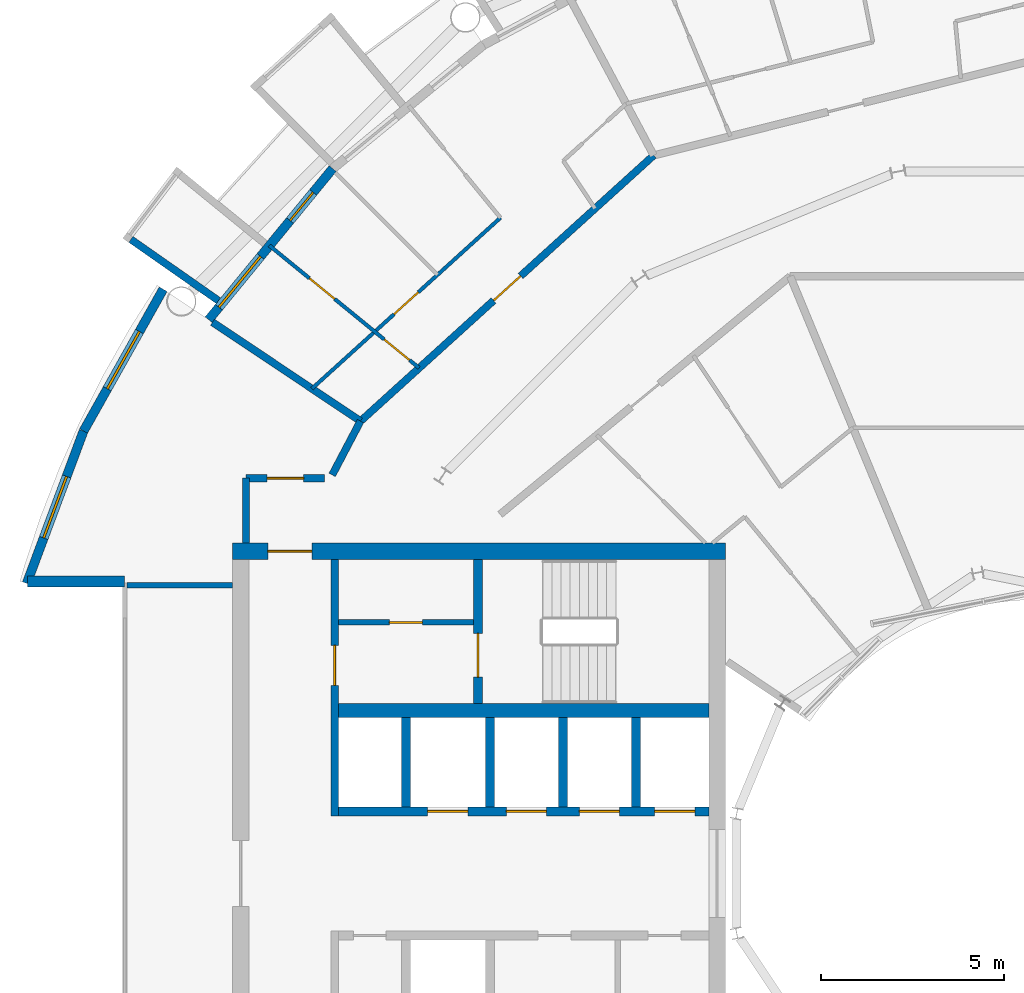
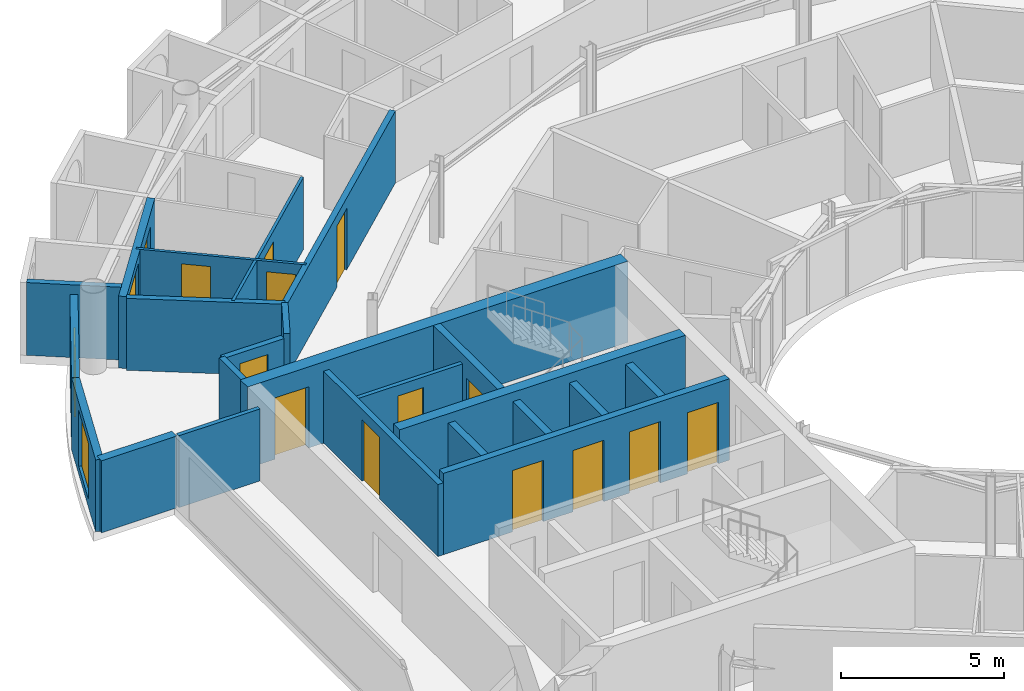
# One storey, part 20 of 29: 23 walls, 14 doors, 3 windows, 17 openings.
"""IFC4 building model written with IfcOpenShell, lengths in metres."""

from ifc_helpers import new_model, si_unit, direction, frame, frame_2d, origin, place, context, subcontext, project, spatial, rectangle, extrude, material, layer, layer_set, type_object, element, fill, save


model = new_model("IFC4")

# Units and contexts
model_context = context("Model", 3, precision=1e-05, world=origin(), true_north=direction((0.0, 1.0)))
body_context = subcontext(model_context, "Body", "Model", "MODEL_VIEW")
ifc_project = project(units=[si_unit("LENGTHUNIT", "METRE"), si_unit("AREAUNIT", "SQUARE_METRE"), si_unit("VOLUMEUNIT", "CUBIC_METRE"), si_unit("PLANEANGLEUNIT", "RADIAN"), si_unit("MASSUNIT", "GRAM", prefix="KILO")], contexts=[model_context])

# Site, building, storey
site_placement = place(None, origin())
site = spatial("IfcSite", under=ifc_project, at=site_placement, CompositionType="ELEMENT")
building_placement = place(site_placement, origin())
building = spatial("IfcBuilding", under=site, at=building_placement, Name="Maasbend Ring Residences", CompositionType="ELEMENT")
storey_placement = place(building_placement, frame((0.0, 0.0, 212.699951171875)))
storey = spatial("IfcBuildingStorey", under=building, at=storey_placement, Name="L61", CompositionType="ELEMENT", Elevation=212.699951171875)

# Wall, openings, doors
ifc_material_1 = material(Name="Concrete C50/60", Category="concrete")
ifc_layer_1 = layer(ifc_material_1, 0.25)
ifc_layer_set_1 = layer_set([ifc_layer_1], Name="Concrete C50/60")
wall_type_1 = type_object("IfcWallType", Name="CORE WALL 250 C50/60", PredefinedType="SHEAR", material=ifc_layer_set_1)
wall_1_placement = place(storey_placement, frame((-9.0, 1.699951171875, 0.0), z_axis=(0.0, 0.0, 1.0), x_axis=(-1.0, 0.0, 0.0)))
wall_1 = element("IfcWall", 1, at=wall_1_placement, inside=storey, type_object=wall_type_1, Name="L61 core W wall SPS", PredefinedType="SHEAR", context=body_context, shape_type="SweptSolid", body=[
    extrude(rectangle(XDim=10.14990234375, YDim=0.25, at=frame_2d((5.074951171875, 0.0))), origin(), (0.0, 0.0, 1.0), 3.050048828125),
])
opening_1_placement = place(wall_1_placement, frame((0.387451171875, 0.0, 0.0)))
opening_1 = element("IfcOpeningElement", 2, at=opening_1_placement, cuts=wall_1, Name="Opening LD-W6102", PredefinedType="OPENING", context=body_context, shape_type="SweptSolid", body=[
    extrude(rectangle(XDim=1.10009765625, YDim=2.300048828125, at=frame_2d((0.550048828125, 1.14990234375))), frame((0.0, 0.135009765625, 0.0), z_axis=(0.0, -1.0, 0.0), x_axis=(1.0, 0.0, 0.0)), (0.0, 0.0, 1.0), 0.27001953125),
])
opening_2_placement = place(wall_1_placement, frame((2.449951171875, 0.0, 0.0)))
opening_2 = element("IfcOpeningElement", 3, at=opening_2_placement, cuts=wall_1, Name="Opening LD-W6103", PredefinedType="OPENING", context=body_context, shape_type="SweptSolid", body=[
    extrude(rectangle(XDim=1.10009765625, YDim=2.300048828125, at=frame_2d((0.550048828125, 1.14990234375))), frame((0.0, 0.135009765625, 0.0), z_axis=(0.0, -1.0, 0.0), x_axis=(1.0, 0.0, 0.0)), (0.0, 0.0, 1.0), 0.27001953125),
])
opening_3_placement = place(wall_1_placement, frame((4.449951171875, 0.0, 0.0)))
opening_3 = element("IfcOpeningElement", 4, at=opening_3_placement, cuts=wall_1, Name="Opening LD-W6104", PredefinedType="OPENING", context=body_context, shape_type="SweptSolid", body=[
    extrude(rectangle(XDim=1.10009765625, YDim=2.300048828125, at=frame_2d((0.550048828125, 1.14990234375))), frame((0.0, 0.135009765625, 0.0), z_axis=(0.0, -1.0, 0.0), x_axis=(1.0, 0.0, 0.0)), (0.0, 0.0, 1.0), 0.27001953125),
])
opening_4_placement = place(wall_1_placement, frame((6.60009765625, 0.0, 0.0)))
opening_4 = element("IfcOpeningElement", 5, at=opening_4_placement, cuts=wall_1, Name="Opening LD-W6105", PredefinedType="OPENING", context=body_context, shape_type="SweptSolid", body=[
    extrude(rectangle(XDim=1.10009765625, YDim=2.300048828125, at=frame_2d((0.550048828125, 1.14990234375))), frame((0.0, 0.135009765625, 0.0), z_axis=(0.0, -1.0, 0.0), x_axis=(1.0, 0.0, 0.0)), (0.0, 0.0, 1.0), 0.27001953125),
])
ifc_material_2 = material(Name="Stainless steel 316", Category="steel")
door_type_1 = type_object("IfcDoorType", Name="LANDING DOOR 1100 X 2300 FD60", OperationType="DOUBLE_DOOR_SLIDING", PredefinedType="DOOR", material=ifc_material_2)
door_1_placement = place(opening_1_placement, origin())
door_1 = element("IfcDoor", 6, at=door_1_placement, inside=storey, type_object=door_type_1, Name="Landing door HR-W1 L61", OperationType="DOUBLE_DOOR_SLIDING", OverallHeight=2.300048828125, OverallWidth=1.10009765625, PredefinedType="DOOR", context=body_context, shape_type="SweptSolid", body=[
    extrude(rectangle(XDim=1.10009765625, YDim=2.300048828125, at=frame_2d((0.550048828125, 1.14990234375))), frame((0.0, 0.02490234375, 0.0), z_axis=(0.0, -1.0, 0.0), x_axis=(1.0, 0.0, 0.0)), (0.0, 0.0, 1.0), 0.050048828125),
])
fill(opening_1, door_1)
door_2_placement = place(opening_2_placement, origin())
door_2 = element("IfcDoor", 7, at=door_2_placement, inside=storey, type_object=door_type_1, Name="Landing door HR-W2 L61", OperationType="DOUBLE_DOOR_SLIDING", OverallHeight=2.300048828125, OverallWidth=1.10009765625, PredefinedType="DOOR", context=body_context, shape_type="SweptSolid", body=[
    extrude(rectangle(XDim=1.10009765625, YDim=2.300048828125, at=frame_2d((0.550048828125, 1.14990234375))), frame((0.0, 0.02490234375, 0.0), z_axis=(0.0, -1.0, 0.0), x_axis=(1.0, 0.0, 0.0)), (0.0, 0.0, 1.0), 0.050048828125),
])
fill(opening_2, door_2)
door_3_placement = place(opening_3_placement, origin())
door_3 = element("IfcDoor", 8, at=door_3_placement, inside=storey, type_object=door_type_1, Name="Landing door HR-W3 L61", OperationType="DOUBLE_DOOR_SLIDING", OverallHeight=2.300048828125, OverallWidth=1.10009765625, PredefinedType="DOOR", context=body_context, shape_type="SweptSolid", body=[
    extrude(rectangle(XDim=1.10009765625, YDim=2.300048828125, at=frame_2d((0.550048828125, 1.14990234375))), frame((0.0, 0.02490234375, 0.0), z_axis=(0.0, -1.0, 0.0), x_axis=(1.0, 0.0, 0.0)), (0.0, 0.0, 1.0), 0.050048828125),
])
fill(opening_3, door_3)
door_4_placement = place(opening_4_placement, origin())
door_4 = element("IfcDoor", 9, at=door_4_placement, inside=storey, type_object=door_type_1, Name="Landing door SV-W L61", OperationType="DOUBLE_DOOR_SLIDING", OverallHeight=2.300048828125, OverallWidth=1.10009765625, PredefinedType="DOOR", context=body_context, shape_type="SweptSolid", body=[
    extrude(rectangle(XDim=1.10009765625, YDim=2.300048828125, at=frame_2d((0.550048828125, 1.14990234375))), frame((0.0, 0.02490234375, 0.0), z_axis=(0.0, -1.0, 0.0), x_axis=(1.0, 0.0, 0.0)), (0.0, 0.0, 1.0), 0.050048828125),
])
fill(opening_4, door_4)

# Wall, opening, door
wall_2_placement = place(storey_placement, frame((-15.324951171875, 8.60009765625, 0.0), z_axis=(0.0, 0.0, 1.0), x_axis=(0.0, -1.0, 0.0)))
wall_2 = element("IfcWall", 10, at=wall_2_placement, inside=storey, type_object=wall_type_1, Name="L61 core W wall STES", PredefinedType="SHEAR", context=body_context, shape_type="SweptSolid", body=[
    extrude(rectangle(XDim=3.9501953125, YDim=0.25, at=frame_2d((1.97509765625, 0.0))), origin(), (0.0, 0.0, 1.0), 3.050048828125),
])
opening_5_placement = place(wall_2_placement, frame((2.02490234375, 0.0, 0.0)))
opening_5 = element("IfcOpeningElement", 11, at=opening_5_placement, cuts=wall_2, Name="Opening D-W6111", PredefinedType="OPENING", context=body_context, shape_type="SweptSolid", body=[
    extrude(rectangle(XDim=1.199951171875, YDim=2.300048828125, at=frame_2d((0.60009765625, 1.14990234375))), frame((0.0, 0.135009765625, 0.0), z_axis=(0.0, -1.0, 0.0), x_axis=(1.0, 0.0, 0.0)), (0.0, 0.0, 1.0), 0.27001953125),
])
ifc_material_3 = material(Name="Steel, powder coated", Category="steel")
door_type_2 = type_object("IfcDoorType", Name="STAIR DOOR 1200 X 2300 FD60", OperationType="NOTDEFINED", PredefinedType="DOOR", material=ifc_material_3)
door_5_placement = place(opening_5_placement, origin())
door_5 = element("IfcDoor", 12, at=door_5_placement, inside=storey, type_object=door_type_2, Name="Stair door ST-W L61", OperationType="SINGLE_SWING_LEFT", OverallHeight=2.300048828125, OverallWidth=1.199951171875, PredefinedType="DOOR", context=body_context, shape_type="SweptSolid", body=[
    extrude(rectangle(XDim=1.199951171875, YDim=2.300048828125, at=frame_2d((0.60009765625, 1.14990234375))), frame((0.0, 0.02490234375, 0.0), z_axis=(0.0, -1.0, 0.0), x_axis=(1.0, 0.0, 0.0)), (0.0, 0.0, 1.0), 0.050048828125),
])
fill(opening_5, door_5)

# Wall
ifc_material_4 = material(Name="Concrete C50/60", Category="concrete")
ifc_layer_2 = layer(ifc_material_4, 0.375)
ifc_layer_set_2 = layer_set([ifc_layer_2], Name="Concrete C50/60")
wall_type_2 = type_object("IfcWallType", Name="CORE WALL 375 C50/60", PredefinedType="SHEAR", material=ifc_layer_set_2)
wall_3_placement = place(storey_placement, frame((-9.0, 4.46240234375, 0.0), z_axis=(0.0, 0.0, 1.0), x_axis=(-1.0, 0.0, 0.0)))
element("IfcWall", 13, at=wall_3_placement, inside=storey, type_object=wall_type_2, Name="L61 core W wall BS", PredefinedType="SHEAR", context=body_context, shape_type="SweptSolid", body=[
    extrude(rectangle(XDim=10.14990234375, YDim=0.375, at=frame_2d((5.074951171875, 0.0))), origin(), (0.0, 0.0, 1.0), 3.050048828125),
])

# Wall, opening, door
ifc_material_5 = material(Name="Concrete C50/60", Category="concrete")
ifc_layer_3 = layer(ifc_material_5, 0.449951171875)
ifc_layer_set_3 = layer_set([ifc_layer_3], Name="Concrete C50/60")
wall_type_3 = type_object("IfcWallType", Name="CORE WALL 450 C50/60", PredefinedType="SHEAR", material=ifc_layer_set_3)
wall_4_placement = place(storey_placement, frame((-8.550048828125, 8.824951171875, 0.0), z_axis=(0.0, 0.0, 1.0), x_axis=(-1.0, 0.0, 0.0)))
wall_4 = element("IfcWall", 14, at=wall_4_placement, inside=storey, type_object=wall_type_3, Name="L61 core W wall PS", PredefinedType="SHEAR", context=body_context, shape_type="SweptSolid", body=[
    extrude(rectangle(XDim=13.5, YDim=0.449951171875, at=frame_2d((6.75, 0.0))), origin(), (0.0, 0.0, 1.0), 3.050048828125),
])
opening_6_placement = place(wall_4_placement, frame((11.324951171875, 0.0, 0.0)))
opening_6 = element("IfcOpeningElement", 15, at=opening_6_placement, cuts=wall_4, Name="Opening D-W6115", PredefinedType="OPENING", context=body_context, shape_type="SweptSolid", body=[
    extrude(rectangle(XDim=1.199951171875, YDim=2.300048828125, at=frame_2d((0.60009765625, 1.14990234375))), frame((0.0, 0.23486328125, 0.0), z_axis=(0.0, -1.0, 0.0), x_axis=(1.0, 0.0, 0.0)), (0.0, 0.0, 1.0), 0.469970703125),
])
ifc_material_6 = material(Name="Steel, powder coated", Category="steel")
door_type_3 = type_object("IfcDoorType", Name="CORRIDOR DOOR 1200 X 2300 FD30S", OperationType="NOTDEFINED", PredefinedType="DOOR", material=ifc_material_6)
door_6_placement = place(opening_6_placement, origin())
door_6 = element("IfcDoor", 16, at=door_6_placement, inside=storey, type_object=door_type_3, Name="Corridor door L61", OperationType="SINGLE_SWING_LEFT", OverallHeight=2.300048828125, OverallWidth=1.199951171875, PredefinedType="DOOR", context=body_context, shape_type="SweptSolid", body=[
    extrude(rectangle(XDim=1.199951171875, YDim=2.300048828125, at=frame_2d((0.60009765625, 1.14990234375))), frame((0.0, 0.02490234375, 0.0), z_axis=(0.0, -1.0, 0.0), x_axis=(1.0, 0.0, 0.0)), (0.0, 0.0, 1.0), 0.050048828125),
])
fill(opening_6, door_6)

ifc_material_7 = material(Name="Concrete C30/37", Category="concrete")
ifc_layer_4 = layer(ifc_material_7, 0.199951171875)
ifc_layer_set_4 = layer_set([ifc_layer_4], Name="Concrete C30/37")
wall_type_4 = type_object("IfcWallType", Name="CORRIDOR WALL 200 CONCRETE", PredefinedType="PARTITIONING", material=ifc_layer_set_4)
wall_5_placement = place(storey_placement, frame((-21.675048828125, 10.824951171875, 0.0), z_axis=(0.0, 0.0, 1.0), x_axis=(1.0, 0.0, 0.0)))
wall_5 = element("IfcWall", 17, at=wall_5_placement, inside=storey, type_object=wall_type_4, Name="U-L61-w099", PredefinedType="PARTITIONING", context=body_context, shape_type="SweptSolid", body=[
    extrude(rectangle(XDim=2.152099609375, YDim=0.199951171875, at=frame_2d((1.076171875, 0.0))), origin(), (0.0, 0.0, 1.0), 2.699951171875),
])
opening_7_placement = place(wall_5_placement, frame((0.575927734375, 0.0, 0.0)))
opening_7 = element("IfcOpeningElement", 18, at=opening_7_placement, cuts=wall_5, Name="Opening D-6169", PredefinedType="OPENING", context=body_context, shape_type="SweptSolid", body=[
    extrude(rectangle(XDim=1.0, YDim=2.300048828125, at=frame_2d((0.5, 1.14990234375))), frame((0.0, 0.10986328125, 0.0), z_axis=(0.0, -1.0, 0.0), x_axis=(1.0, 0.0, 0.0)), (0.0, 0.0, 1.0), 0.219970703125),
])
ifc_material_8 = material(Name="Timber, painted", Category="wood")
door_type_4 = type_object("IfcDoorType", Name="ROOM DOOR 1000 X 2300", OperationType="NOTDEFINED", PredefinedType="DOOR", material=ifc_material_8)
door_7_placement = place(opening_7_placement, origin())
door_7 = element("IfcDoor", 19, at=door_7_placement, inside=storey, type_object=door_type_4, Name="D-6169", OperationType="SINGLE_SWING_LEFT", OverallHeight=2.300048828125, OverallWidth=1.0, PredefinedType="DOOR", context=body_context, shape_type="SweptSolid", body=[
    extrude(rectangle(XDim=1.0, YDim=2.300048828125, at=frame_2d((0.5, 1.14990234375))), frame((0.0, 0.02490234375, 0.0), z_axis=(0.0, -1.0, 0.0), x_axis=(1.0, 0.0, 0.0)), (0.0, 0.0, 1.0), 0.050048828125),
])
fill(opening_7, door_7)

wall_6_placement = place(storey_placement, frame((-18.54296875, 12.385986328125, 0.0), z_axis=(0.0, 0.0, 1.0), x_axis=(0.740853508928, 0.671666642248, 0.0)))
wall_6 = element("IfcWall", 20, at=wall_6_placement, inside=storey, type_object=wall_type_4, Name="U-L61-w110", PredefinedType="PARTITIONING", context=body_context, shape_type="SweptSolid", body=[
    extrude(rectangle(XDim=10.840087890625, YDim=0.199951171875, at=frame_2d((5.419921875, 0.0))), origin(), (0.0, 0.0, 1.0), 2.699951171875),
])
opening_8_placement = place(wall_6_placement, frame((4.9208984375, 0.0, 0.0)))
opening_8 = element("IfcOpeningElement", 21, at=opening_8_placement, cuts=wall_6, Name="Opening D-6117", PredefinedType="OPENING", context=body_context, shape_type="SweptSolid", body=[
    extrude(rectangle(XDim=1.0, YDim=2.300048828125, at=frame_2d((0.5, 1.14990234375))), frame((0.0, 0.10986328125, 0.0), z_axis=(0.0, -1.0, 0.0), x_axis=(1.0, 0.0, 0.0)), (0.0, 0.0, 1.0), 0.219970703125),
])
ifc_material_9 = material(Name="Timber, fire-rated, painted", Category="wood")
door_type_5 = type_object("IfcDoorType", Name="FLAT ENTRANCE DOOR 1000 X 2300 FIRE-RATED", OperationType="NOTDEFINED", PredefinedType="DOOR", material=ifc_material_9)
door_8_placement = place(opening_8_placement, origin())
door_8 = element("IfcDoor", 22, at=door_8_placement, inside=storey, type_object=door_type_5, Name="D-6117", OperationType="SINGLE_SWING_RIGHT", OverallHeight=2.300048828125, OverallWidth=1.0, PredefinedType="DOOR", context=body_context, shape_type="SweptSolid", body=[
    extrude(rectangle(XDim=1.0, YDim=2.300048828125, at=frame_2d((0.5, 1.14990234375))), frame((0.0, 0.02490234375, 0.0), z_axis=(0.0, -1.0, 0.0), x_axis=(1.0, 0.0, 0.0)), (0.0, 0.0, 1.0), 0.050048828125),
])
fill(opening_8, door_8)

# Walls
wall_7_placement = place(storey_placement, frame((-21.675048828125, 9.050048828125, 0.0), z_axis=(0.0, 0.0, 1.0), x_axis=(0.0, 1.0, 0.0)))
element("IfcWall", 23, at=wall_7_placement, inside=storey, type_object=wall_type_4, Name="U-L61-w113", PredefinedType="PARTITIONING", context=body_context, shape_type="SweptSolid", body=[
    extrude(rectangle(XDim=1.77490234375, YDim=0.199951171875, at=frame_2d((0.887451171875, 0.0))), origin(), (0.0, 0.0, 1.0), 2.699951171875),
])
wall_8_placement = place(storey_placement, frame((-19.31689453125, 10.9150390625, 0.0), z_axis=(0.0, 0.0, 1.0), x_axis=(0.465359652486, 0.885121683068, 0.0)))
element("IfcWall", 24, at=wall_8_placement, inside=storey, type_object=wall_type_4, Name="U-L61-w117", PredefinedType="PARTITIONING", context=body_context, shape_type="SweptSolid", body=[
    extrude(rectangle(XDim=1.665283203125, YDim=0.199951171875, at=frame_2d((0.83251953125, 0.0))), origin(), (0.0, 0.0, 1.0), 2.699951171875),
])
ifc_material_10 = material(Name="Pale anodised aluminium panel", Category="aluminium")
ifc_layer_5 = layer(ifc_material_10, 0.199951171875)
ifc_layer_set_5 = layer_set([ifc_layer_5], Name="EW-BOX")
wall_type_5 = type_object("IfcWallType", Name="EW-BOX", PredefinedType="SOLIDWALL", material=ifc_layer_set_5)
wall_9_placement = place(storey_placement, frame((-22.43310546875, 15.68798828125, -0.030029296875), z_axis=(0.0, 0.0, 1.0), x_axis=(-0.819373043115, 0.573260687834, 0.0)))
element("IfcWall", 25, at=wall_9_placement, inside=storey, type_object=wall_type_5, Name="Box side wall N20 right", PredefinedType="SOLIDWALL", context=body_context, shape_type="SweptSolid", body=[
    extrude(rectangle(XDim=2.92529296875, YDim=0.199951171875, at=frame_2d((1.462646484375, 0.0))), origin(), (0.0, 0.0, 1.0), 2.72998046875),
])

# Wall, openings, door, window
ifc_material_11 = material(Name="Aluminium clad insulated panel", Category="aluminium")
ifc_layer_6 = layer(ifc_material_11, 0.25)
ifc_layer_set_6 = layer_set([ifc_layer_6], Name="EW-GL")
wall_type_6 = type_object("IfcWallType", Name="EW-GL", PredefinedType="SOLIDWALL", material=ifc_layer_set_6)
wall_10_placement = place(storey_placement, frame((-19.303955078125, 19.303955078125, 0.0), z_axis=(0.0, 0.0, 1.0), x_axis=(-0.634382322723, -0.773019449054, 0.0)))
wall_10 = element("IfcWall", 26, at=wall_10_placement, inside=storey, type_object=wall_type_6, Name="External wall N10", PredefinedType="SOLIDWALL", context=body_context, shape_type="SweptSolid", body=[
    extrude(rectangle(XDim=5.351806640625, YDim=0.25, at=frame_2d((2.67578125, 0.0))), origin(), (0.0, 0.0, 1.0), 2.699951171875),
])
opening_9_placement = place(wall_10_placement, frame((0.841064453125, 0.0, 0.0)))
opening_9 = element("IfcOpeningElement", 27, at=opening_9_placement, cuts=wall_10, Name="Opening D-LG", PredefinedType="OPENING", context=body_context, shape_type="SweptSolid", body=[
    extrude(rectangle(XDim=1.0, YDim=2.199951171875, at=frame_2d((0.5, 1.10009765625))), frame((0.0, 0.135009765625, 0.0), z_axis=(0.0, -1.0, 0.0), x_axis=(1.0, 0.0, 0.0)), (0.0, 0.0, 1.0), 0.27001953125),
])
opening_10_placement = place(wall_10_placement, frame((3.110595703125, 0.0, 0.300048828125)))
opening_10 = element("IfcOpeningElement", 28, at=opening_10_placement, cuts=wall_10, Name="Opening W-BX", PredefinedType="OPENING", context=body_context, shape_type="SweptSolid", body=[
    extrude(rectangle(XDim=1.800048828125, YDim=2.10009765625, at=frame_2d((0.89990234375, 1.050048828125))), frame((0.0, 0.135009765625, 0.0), z_axis=(0.0, -1.0, 0.0), x_axis=(1.0, 0.0, 0.0)), (0.0, 0.0, 1.0), 0.27001953125),
])
ifc_material_12 = material(Name="Aluminium and clear glass", Category="aluminium")
door_type_6 = type_object("IfcDoorType", Name="D-LG", OperationType="SINGLE_SWING_LEFT", PredefinedType="DOOR", material=ifc_material_12)
door_9_placement = place(opening_9_placement, origin())
door_9 = element("IfcDoor", 29, at=door_9_placement, inside=storey, type_object=door_type_6, Name="Loggia door N19", OperationType="SINGLE_SWING_LEFT", OverallHeight=2.199951171875, OverallWidth=1.0, PredefinedType="DOOR", context=body_context, shape_type="SweptSolid", body=[
    extrude(rectangle(XDim=1.0, YDim=2.199951171875, at=frame_2d((0.5, 1.10009765625))), frame((0.0, 0.02490234375, 0.0), z_axis=(0.0, -1.0, 0.0), x_axis=(1.0, 0.0, 0.0)), (0.0, 0.0, 1.0), 0.050048828125),
])
fill(opening_9, door_9)
ifc_material_13 = material(Name="Aluminium and clear glass", Category="aluminium")
window_type = type_object("IfcWindowType", Name="W-BX", PartitioningType="DOUBLE_PANEL_VERTICAL", PredefinedType="WINDOW", material=ifc_material_13)
window_1_placement = place(opening_10_placement, origin())
window_1 = element("IfcWindow", 30, at=window_1_placement, inside=storey, type_object=window_type, Name="Window N20 room to box", OverallHeight=2.10009765625, OverallWidth=1.800048828125, PartitioningType="SINGLE_PANEL", PredefinedType="WINDOW", context=body_context, shape_type="SweptSolid", body=[
    extrude(rectangle(XDim=1.800048828125, YDim=2.10009765625, at=frame_2d((0.89990234375, 1.050048828125))), frame((0.0, 0.030029296875, 0.0), z_axis=(0.0, -1.0, 0.0), x_axis=(1.0, 0.0, 0.0)), (0.0, 0.0, 1.0), 0.06005859375),
])
fill(opening_10, window_1)

# Wall, opening, window
ifc_material_14 = material(Name="Aluminium clad insulated panel", Category="aluminium")
ifc_layer_7 = layer(ifc_material_14, 0.25)
ifc_layer_set_7 = layer_set([ifc_layer_7], Name="EW-HORN")
wall_type_7 = type_object("IfcWallType", Name="EW-HORN", PredefinedType="SOLIDWALL", material=ifc_layer_set_7)
wall_11_placement = place(storey_placement, frame((-23.946044921875, 16.0, 0.0), z_axis=(0.0, 0.0, 1.0), x_axis=(-0.489696356642, -0.871893042919, 0.0)))
wall_11 = element("IfcWall", 31, at=wall_11_placement, inside=storey, type_object=wall_type_7, Name="Horn wall 4.1", PredefinedType="SOLIDWALL", context=body_context, shape_type="SweptSolid", body=[
    extrude(rectangle(XDim=4.45361328125, YDim=0.25, at=frame_2d((2.226806640625, 0.0))), origin(), (0.0, 0.0, 1.0), 2.699951171875),
])
opening_11_placement = place(wall_11_placement, frame((1.32666015625, 0.0, 0.300048828125)))
opening_11 = element("IfcOpeningElement", 32, at=opening_11_placement, cuts=wall_11, Name="Opening W-BX", PredefinedType="OPENING", context=body_context, shape_type="SweptSolid", body=[
    extrude(rectangle(XDim=1.800048828125, YDim=2.10009765625, at=frame_2d((0.89990234375, 1.050048828125))), frame((0.0, 0.135009765625, 0.0), z_axis=(0.0, -1.0, 0.0), x_axis=(1.0, 0.0, 0.0)), (0.0, 0.0, 1.0), 0.27001953125),
])
window_2_placement = place(opening_11_placement, origin())
window_2 = element("IfcWindow", 33, at=window_2_placement, inside=storey, type_object=window_type, Name="Horn window 4.1", OverallHeight=2.10009765625, OverallWidth=1.800048828125, PartitioningType="SINGLE_PANEL", PredefinedType="WINDOW", context=body_context, shape_type="SweptSolid", body=[
    extrude(rectangle(XDim=1.800048828125, YDim=2.10009765625, at=frame_2d((0.89990234375, 1.050048828125))), frame((0.0, 0.030029296875, 0.0), z_axis=(0.0, -1.0, 0.0), x_axis=(1.0, 0.0, 0.0)), (0.0, 0.0, 1.0), 0.06005859375),
])
fill(opening_11, window_2)

wall_12_placement = place(storey_placement, frame((-26.126953125, 12.116943359375, 0.0), z_axis=(0.0, 0.0, 1.0), x_axis=(-0.349247811493, -0.937030397675, 0.0)))
wall_12 = element("IfcWall", 34, at=wall_12_placement, inside=storey, type_object=wall_type_7, Name="Horn wall 4.2", PredefinedType="SOLIDWALL", context=body_context, shape_type="SweptSolid", body=[
    extrude(rectangle(XDim=4.4521484375, YDim=0.25, at=frame_2d((2.22607421875, 0.0))), origin(), (0.0, 0.0, 1.0), 2.699951171875),
])
opening_12_placement = place(wall_12_placement, frame((1.32666015625, 0.0, 0.300048828125)))
opening_12 = element("IfcOpeningElement", 35, at=opening_12_placement, cuts=wall_12, Name="Opening W-BX", PredefinedType="OPENING", context=body_context, shape_type="SweptSolid", body=[
    extrude(rectangle(XDim=1.800048828125, YDim=2.10009765625, at=frame_2d((0.89990234375, 1.050048828125))), frame((0.0, 0.135009765625, 0.0), z_axis=(0.0, -1.0, 0.0), x_axis=(1.0, 0.0, 0.0)), (0.0, 0.0, 1.0), 0.27001953125),
])
window_3_placement = place(opening_12_placement, origin())
window_3 = element("IfcWindow", 36, at=window_3_placement, inside=storey, type_object=window_type, Name="Horn window 4.2", OverallHeight=2.10009765625, OverallWidth=1.800048828125, PartitioningType="SINGLE_PANEL", PredefinedType="WINDOW", context=body_context, shape_type="SweptSolid", body=[
    extrude(rectangle(XDim=1.800048828125, YDim=2.10009765625, at=frame_2d((0.89990234375, 1.050048828125))), frame((0.0, 0.030029296875, 0.0), z_axis=(0.0, -1.0, 0.0), x_axis=(1.0, 0.0, 0.0)), (0.0, 0.0, 1.0), 0.06005859375),
])
fill(opening_12, window_3)

# Wall
ifc_material_15 = material(Name="Aluminium clad insulated panel", Category="aluminium")
ifc_layer_8 = layer(ifc_material_15, 0.300048828125)
ifc_layer_set_8 = layer_set([ifc_layer_8], Name="EW-RET")
wall_type_8 = type_object("IfcWallType", Name="EW-RET", PredefinedType="SOLIDWALL", material=ifc_layer_set_8)
wall_13_placement = place(storey_placement, frame((-25.0, 8.0, 0.0), z_axis=(0.0, 0.0, 1.0), x_axis=(-1.0, 0.0, 0.0)))
element("IfcWall", 37, at=wall_13_placement, inside=storey, type_object=wall_type_8, Name="Notch return wall west north", PredefinedType="SOLIDWALL", context=body_context, shape_type="SweptSolid", body=[
    extrude(rectangle(XDim=2.6669921875, YDim=0.300048828125, at=frame_2d((1.33349609375, 0.0))), origin(), (0.0, 0.0, 1.0), 2.699951171875),
])

# Wall, openings, doors
ifc_material_16 = material(Name="Gypsum board on steel studs", Category="steel")
ifc_layer_9 = layer(ifc_material_16, 0.10009765625)
ifc_layer_set_9 = layer_set([ifc_layer_9], Name="PARTITION 100 GYPSUM")
wall_type_9 = type_object("IfcWallType", Name="PARTITION 100 GYPSUM", PredefinedType="PARTITIONING", material=ifc_layer_set_9)
wall_14_placement = place(storey_placement, frame((-21.0400390625, 17.198974609375, 0.0), z_axis=(0.0, 0.0, 1.0), x_axis=(0.774310172558, -0.632806255241, 0.0)))
wall_14 = element("IfcWall", 38, at=wall_14_placement, inside=storey, type_object=wall_type_9, Name="U-L61-w040", PredefinedType="PARTITIONING", context=body_context, shape_type="SweptSolid", body=[
    extrude(rectangle(XDim=5.30029296875, YDim=0.10009765625, at=frame_2d((2.650146484375, 0.0))), origin(), (0.0, 0.0, 1.0), 2.699951171875),
])
opening_13_placement = place(wall_14_placement, frame((4.06591796875, 0.0, 0.0)))
opening_13 = element("IfcOpeningElement", 39, at=opening_13_placement, cuts=wall_14, Name="Opening D-6119", PredefinedType="OPENING", context=body_context, shape_type="SweptSolid", body=[
    extrude(rectangle(XDim=0.89990234375, YDim=2.300048828125, at=frame_2d((0.449951171875, 1.14990234375))), frame((0.0, 0.06005859375, 0.0), z_axis=(0.0, -1.0, 0.0), x_axis=(1.0, 0.0, 0.0)), (0.0, 0.0, 1.0), 0.1201171875),
])
opening_14_placement = place(wall_14_placement, frame((1.416015625, 0.0, 0.0)))
opening_14 = element("IfcOpeningElement", 40, at=opening_14_placement, cuts=wall_14, Name="Opening D-6122", PredefinedType="OPENING", context=body_context, shape_type="SweptSolid", body=[
    extrude(rectangle(XDim=0.89990234375, YDim=2.300048828125, at=frame_2d((0.449951171875, 1.14990234375))), frame((0.0, 0.06005859375, 0.0), z_axis=(0.0, -1.0, 0.0), x_axis=(1.0, 0.0, 0.0)), (0.0, 0.0, 1.0), 0.1201171875),
])
ifc_material_17 = material(Name="Timber, painted", Category="wood")
door_type_7 = type_object("IfcDoorType", Name="INTERNAL DOOR 900 X 2300", OperationType="NOTDEFINED", PredefinedType="DOOR", material=ifc_material_17)
door_10_placement = place(opening_13_placement, origin())
door_10 = element("IfcDoor", 41, at=door_10_placement, inside=storey, type_object=door_type_7, Name="D-6119", OperationType="SINGLE_SWING_RIGHT", OverallHeight=2.300048828125, OverallWidth=0.89990234375, PredefinedType="DOOR", context=body_context, shape_type="SweptSolid", body=[
    extrude(rectangle(XDim=0.89990234375, YDim=2.300048828125, at=frame_2d((0.449951171875, 1.14990234375))), frame((0.0, 0.02490234375, 0.0), z_axis=(0.0, -1.0, 0.0), x_axis=(1.0, 0.0, 0.0)), (0.0, 0.0, 1.0), 0.050048828125),
])
fill(opening_13, door_10)
door_11_placement = place(opening_14_placement, origin())
door_11 = element("IfcDoor", 42, at=door_11_placement, inside=storey, type_object=door_type_7, Name="D-6122", OperationType="SINGLE_SWING_LEFT", OverallHeight=2.300048828125, OverallWidth=0.89990234375, PredefinedType="DOOR", context=body_context, shape_type="SweptSolid", body=[
    extrude(rectangle(XDim=0.89990234375, YDim=2.300048828125, at=frame_2d((0.449951171875, 1.14990234375))), frame((0.0, 0.02490234375, 0.0), z_axis=(0.0, -1.0, 0.0), x_axis=(1.0, 0.0, 0.0)), (0.0, 0.0, 1.0), 0.050048828125),
])
fill(opening_14, door_11)

# Wall, opening, door
wall_15_placement = place(storey_placement, frame((-19.8720703125, 13.278076171875, 0.0), z_axis=(0.0, 0.0, 1.0), x_axis=(0.740923753351, 0.671589153962, 0.0)))
wall_15 = element("IfcWall", 43, at=wall_15_placement, inside=storey, type_object=wall_type_9, Name="U-L61-w119", PredefinedType="PARTITIONING", context=body_context, shape_type="SweptSolid", body=[
    extrude(rectangle(XDim=6.968505859375, YDim=0.10009765625, at=frame_2d((3.484375, 0.0))), origin(), (0.0, 0.0, 1.0), 2.699951171875),
])
opening_15_placement = place(wall_15_placement, frame((3.033935546875, 0.0, 0.0)))
opening_15 = element("IfcOpeningElement", 44, at=opening_15_placement, cuts=wall_15, Name="Opening D-6121", PredefinedType="OPENING", context=body_context, shape_type="SweptSolid", body=[
    extrude(rectangle(XDim=0.89990234375, YDim=2.300048828125, at=frame_2d((0.449951171875, 1.14990234375))), frame((0.0, 0.06005859375, 0.0), z_axis=(0.0, -1.0, 0.0), x_axis=(1.0, 0.0, 0.0)), (0.0, 0.0, 1.0), 0.1201171875),
])
door_12_placement = place(opening_15_placement, origin())
door_12 = element("IfcDoor", 45, at=door_12_placement, inside=storey, type_object=door_type_7, Name="D-6121", OperationType="SINGLE_SWING_RIGHT", OverallHeight=2.300048828125, OverallWidth=0.89990234375, PredefinedType="DOOR", context=body_context, shape_type="SweptSolid", body=[
    extrude(rectangle(XDim=0.89990234375, YDim=2.300048828125, at=frame_2d((0.449951171875, 1.14990234375))), frame((0.0, 0.02490234375, 0.0), z_axis=(0.0, -1.0, 0.0), x_axis=(1.0, 0.0, 0.0)), (0.0, 0.0, 1.0), 0.050048828125),
])
fill(opening_15, door_12)

ifc_material_18 = material(Name="Gypsum board on steel studs", Category="steel")
ifc_layer_10 = layer(ifc_material_18, 0.14990234375)
ifc_layer_set_10 = layer_set([ifc_layer_10], Name="PARTITION 150 EI 60")
wall_type_10 = type_object("IfcWallType", Name="PARTITION 150 EI 60", PredefinedType="PARTITIONING", material=ifc_layer_set_10)
wall_16_placement = place(storey_placement, frame((-15.449951171875, 6.875, 0.0), z_axis=(0.0, 0.0, 1.0), x_axis=(-1.0, 0.0, 0.0)))
wall_16 = element("IfcWall", 46, at=wall_16_placement, inside=storey, type_object=wall_type_10, Name="L61 core W wall RHS", PredefinedType="PARTITIONING", context=body_context, shape_type="SweptSolid", body=[
    extrude(rectangle(XDim=3.699951171875, YDim=0.14990234375, at=frame_2d((1.85009765625, 0.0))), origin(), (0.0, 0.0, 1.0), 2.699951171875),
])
opening_16_placement = place(wall_16_placement, frame((1.39990234375, 0.0, 0.0)))
opening_16 = element("IfcOpeningElement", 47, at=opening_16_placement, cuts=wall_16, Name="Opening D-W6109", PredefinedType="OPENING", context=body_context, shape_type="SweptSolid", body=[
    extrude(rectangle(XDim=0.89990234375, YDim=2.300048828125, at=frame_2d((0.449951171875, 1.14990234375))), frame((0.0, 0.0849609375, 0.0), z_axis=(0.0, -1.0, 0.0), x_axis=(1.0, 0.0, 0.0)), (0.0, 0.0, 1.0), 0.169921875),
])
ifc_material_19 = material(Name="Steel, powder coated", Category="steel")
door_type_8 = type_object("IfcDoorType", Name="RISER DOOR 900 X 2300 FD60", OperationType="NOTDEFINED", PredefinedType="DOOR", material=ifc_material_19)
door_13_placement = place(opening_16_placement, origin())
door_13 = element("IfcDoor", 48, at=door_13_placement, inside=storey, type_object=door_type_8, Name="Riser door L61", OperationType="SINGLE_SWING_LEFT", OverallHeight=2.300048828125, OverallWidth=0.89990234375, PredefinedType="DOOR", context=body_context, shape_type="SweptSolid", body=[
    extrude(rectangle(XDim=0.89990234375, YDim=2.300048828125, at=frame_2d((0.449951171875, 1.14990234375))), frame((0.0, 0.02490234375, 0.0), z_axis=(0.0, -1.0, 0.0), x_axis=(1.0, 0.0, 0.0)), (0.0, 0.0, 1.0), 0.050048828125),
])
fill(opening_16, door_13)

# Walls
wall_17_placement = place(storey_placement, frame((-22.050048828125, 7.89990234375, 0.0), z_axis=(0.0, 0.0, 1.0), x_axis=(-1.0, 0.0, 0.0)))
element("IfcWall", 49, at=wall_17_placement, inside=storey, type_object=wall_type_10, Name="L61 core W wall CITS", PredefinedType="PARTITIONING", context=body_context, shape_type="SweptSolid", body=[
    extrude(rectangle(XDim=2.889892578125, YDim=0.14990234375, at=frame_2d((1.44482421875, 0.0))), origin(), (0.0, 0.0, 1.0), 2.699951171875),
])
ifc_material_20 = material(Name="Concrete C30/37", Category="concrete")
ifc_layer_11 = layer(ifc_material_20, 0.199951171875)
ifc_layer_set_11 = layer_set([ifc_layer_11], Name="Concrete C30/37")
wall_type_11 = type_object("IfcWallType", Name="PARTY WALL 200 CONCRETE", PredefinedType="PARTITIONING", material=ifc_layer_set_11)
wall_18_placement = place(storey_placement, frame((-22.594970703125, 15.097900390625, 0.0), z_axis=(0.0, 0.0, 1.0), x_axis=(0.831387096605, -0.55569370664, 0.0)))
element("IfcWall", 50, at=wall_18_placement, inside=storey, type_object=wall_type_11, Name="U-L61-w039", PredefinedType="PARTITIONING", context=body_context, shape_type="SweptSolid", body=[
    extrude(rectangle(XDim=4.875, YDim=0.199951171875, at=frame_2d((2.4375, 0.0))), origin(), (0.0, 0.0, 1.0), 2.699951171875),
])

# Wall, opening, door
ifc_material_21 = material(Name="Concrete C30/37", Category="concrete")
ifc_layer_12 = layer(ifc_material_21, 0.199951171875)
ifc_layer_set_12 = layer_set([ifc_layer_12], Name="Concrete C30/37")
wall_type_12 = type_object("IfcWallType", Name="SHAFT WALL 200 EI 120", PredefinedType="SOLIDWALL", material=ifc_layer_set_12)
wall_19_placement = place(storey_placement, frame((-19.25, 8.60009765625, 0.0), z_axis=(0.0, 0.0, 1.0), x_axis=(0.0, -1.0, 0.0)))
wall_19 = element("IfcWall", 51, at=wall_19_placement, inside=storey, type_object=wall_type_12, Name="L61 core W wall ENDS", PredefinedType="SOLIDWALL", context=body_context, shape_type="SweptSolid", body=[
    extrude(rectangle(XDim=7.025146484375, YDim=0.199951171875, at=frame_2d((3.5126953125, 0.0))), origin(), (0.0, 0.0, 1.0), 2.699951171875),
])
opening_17_placement = place(wall_19_placement, frame((2.35009765625, 0.0, 0.0)))
opening_17 = element("IfcOpeningElement", 52, at=opening_17_placement, cuts=wall_19, Name="Opening D-W6113", PredefinedType="OPENING", context=body_context, shape_type="SweptSolid", body=[
    extrude(rectangle(XDim=1.10009765625, YDim=2.300048828125, at=frame_2d((0.550048828125, 1.14990234375))), frame((0.0, 0.10986328125, 0.0), z_axis=(0.0, -1.0, 0.0), x_axis=(1.0, 0.0, 0.0)), (0.0, 0.0, 1.0), 0.219970703125),
])
ifc_material_22 = material(Name="Steel, powder coated", Category="steel")
door_type_9 = type_object("IfcDoorType", Name="LOBBY DOOR 1100 X 2300 FD60", OperationType="NOTDEFINED", PredefinedType="DOOR", material=ifc_material_22)
door_14_placement = place(opening_17_placement, origin())
door_14 = element("IfcDoor", 53, at=door_14_placement, inside=storey, type_object=door_type_9, Name="Lobby door L61", OperationType="SINGLE_SWING_RIGHT", OverallHeight=2.300048828125, OverallWidth=1.10009765625, PredefinedType="DOOR", context=body_context, shape_type="SweptSolid", body=[
    extrude(rectangle(XDim=1.10009765625, YDim=2.300048828125, at=frame_2d((0.550048828125, 1.14990234375))), frame((0.0, 0.02490234375, 0.0), z_axis=(0.0, -1.0, 0.0), x_axis=(1.0, 0.0, 0.0)), (0.0, 0.0, 1.0), 0.050048828125),
])
fill(opening_17, door_14)

# Walls
ifc_material_23 = material(Name="Concrete C30/37", Category="concrete")
ifc_layer_13 = layer(ifc_material_23, 0.25)
ifc_layer_set_13 = layer_set([ifc_layer_13], Name="Concrete C30/37")
wall_type_13 = type_object("IfcWallType", Name="SHAFT WALL 250 EI 120", PredefinedType="SOLIDWALL", material=ifc_layer_set_13)
for number, where, z_axis, x_axis, name in (
    (54, (-15.0, 1.824951171875, 0.0), (0.0, 0.0, 1.0), (0.0, 1.0, 0.0), "L61 core W wall D150S"),
    (55, (-17.300048828125, 1.824951171875, 0.0), (0.0, 0.0, 1.0), (0.0, 1.0, 0.0), "L61 core W wall D173S"),
    (56, (-11.0, 1.824951171875, 0.0), (0.0, 0.0, 1.0), (0.0, 1.0, 0.0), "L61 core W wall D110S"),
    (57, (-13.0, 1.824951171875, 0.0), (0.0, 0.0, 1.0), (0.0, 1.0, 0.0), "L61 core W wall D130S"),
):
    element("IfcWall", number, at=place(storey_placement, frame(where, z_axis=z_axis, x_axis=x_axis)), inside=storey, type_object=wall_type_13, Name=name, PredefinedType="SOLIDWALL", context=body_context, shape_type="SweptSolid", body=[
        extrude(rectangle(XDim=2.449951171875, YDim=0.25, at=frame_2d((1.22509765625, 0.0))), origin(), (0.0, 0.0, 1.0), 2.699951171875),
    ])

save(model, "model.ifc")
